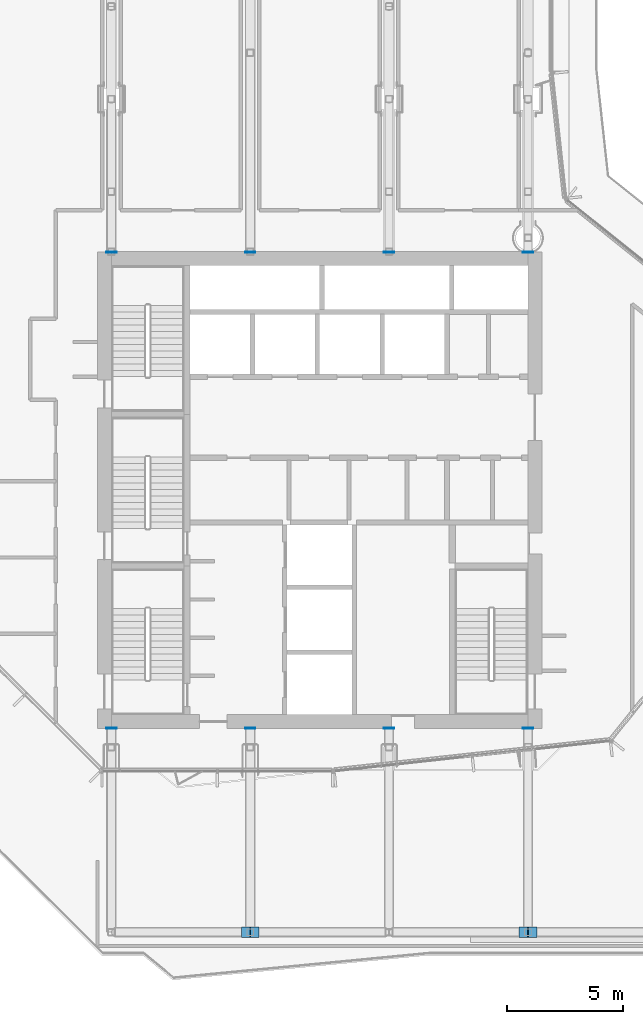
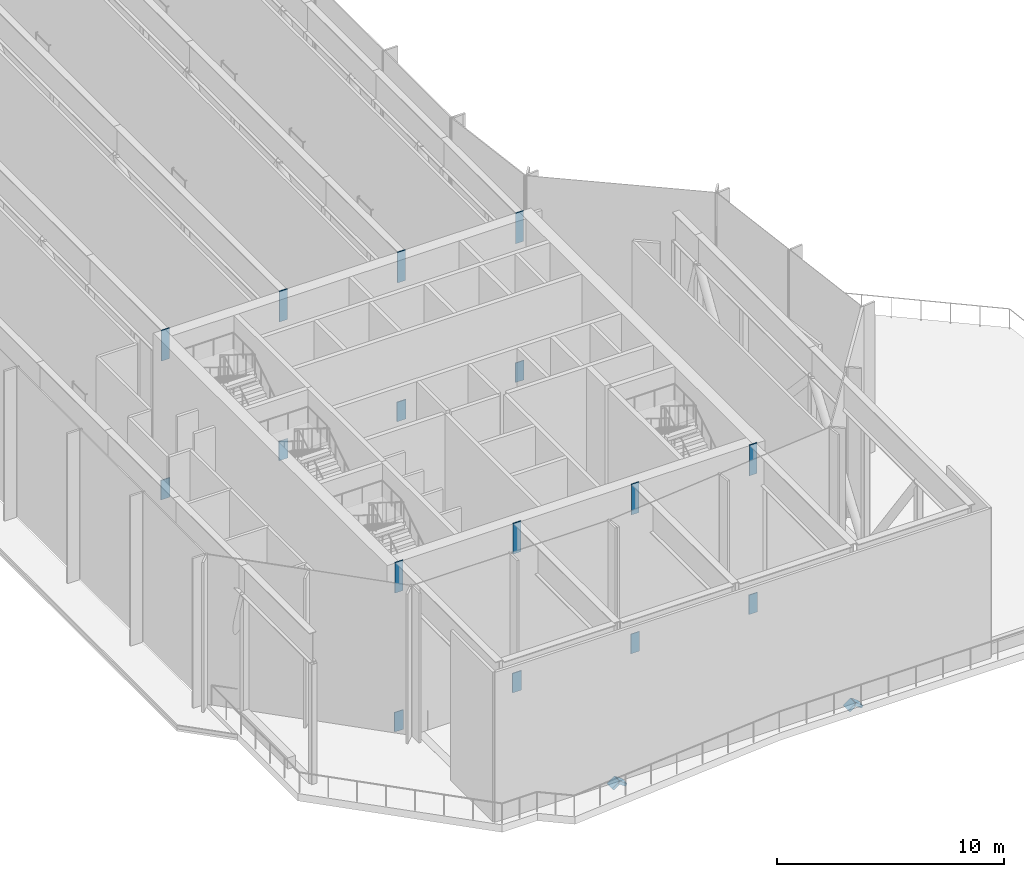
# One storey, part 15 of 22: 20 discrete accessories.
"""IFC4 building model written with IfcOpenShell, lengths in metres."""

from ifc_helpers import new_model, si_unit, direction, frame, origin, origin_2d, place, context, subcontext, project, spatial, rectangle, extrude, element, save


model = new_model("IFC4")

# Units and contexts
model_context = context("Model", 3, precision=1e-05, world=origin(), true_north=direction((0.0, 1.0)))
body_context = subcontext(model_context, "Body", "Model", "MODEL_VIEW")
ifc_project = project(units=[si_unit("LENGTHUNIT", "METRE"), si_unit("AREAUNIT", "SQUARE_METRE"), si_unit("VOLUMEUNIT", "CUBIC_METRE"), si_unit("PLANEANGLEUNIT", "RADIAN"), si_unit("MASSUNIT", "GRAM", prefix="KILO")], contexts=[model_context])

# Site, building, storey
site_placement = place(None, origin())
site = spatial("IfcSite", under=ifc_project, at=site_placement, CompositionType="ELEMENT")
building_placement = place(site_placement, origin())
building = spatial("IfcBuilding", under=site, at=building_placement, Name="Welwitschia Terrace Campus", CompositionType="ELEMENT")
storey_placement = place(building_placement, frame((0.0, 0.0, 197.0)))
storey = spatial("IfcBuildingStorey", under=building, at=storey_placement, Name="L44", CompositionType="ELEMENT", Elevation=197.0)

# Discrete accessories
discrete_accessory_1_placement = place(storey_placement, frame((6.0, 4.800048828125, -0.5), z_axis=(0.0, 1.0, 0.0), x_axis=(-1.0, 0.0, 0.0)))
element("IfcDiscreteAccessory", 1, at=discrete_accessory_1_placement, inside=storey, Name="Cast-in embed plate", PredefinedType="BRACKET", context=body_context, shape_type="SweptSolid", body=[
    extrude(rectangle(XDim=0.449951171875, YDim=1.050048828125, at=origin_2d()), origin(), (0.0, 0.0, 1.0), 0.0400390625),
])
discrete_accessory_2_placement = place(storey_placement, frame((6.0, 4.800048828125, 7.25), z_axis=(0.0, 1.0, 0.0), x_axis=(-1.0, 0.0, 0.0)))
element("IfcDiscreteAccessory", 2, at=discrete_accessory_2_placement, inside=storey, Name="Cast-in embed plate", PredefinedType="BRACKET", context=body_context, shape_type="SweptSolid", body=[
    extrude(rectangle(XDim=0.39990234375, YDim=1.64990234375, at=origin_2d()), origin(), (0.0, 0.0, 1.0), 0.0400390625),
])
discrete_accessory_3_placement = place(storey_placement, frame((6.0, 25.39990234375, -0.5), z_axis=(0.0, -1.0, 0.0), x_axis=(1.0, 0.0, 0.0)))
element("IfcDiscreteAccessory", 3, at=discrete_accessory_3_placement, inside=storey, Name="Cast-in embed plate", PredefinedType="BRACKET", context=body_context, shape_type="SweptSolid", body=[
    extrude(rectangle(XDim=0.449951171875, YDim=1.050048828125, at=origin_2d()), origin(), (0.0, 0.0, 1.0), 0.039794921875),
])
discrete_accessory_4_placement = place(storey_placement, frame((6.0, 25.39990234375, 7.25), z_axis=(0.0, -1.0, 0.0), x_axis=(1.0, 0.0, 0.0)))
element("IfcDiscreteAccessory", 4, at=discrete_accessory_4_placement, inside=storey, Name="Cast-in embed plate", PredefinedType="BRACKET", context=body_context, shape_type="SweptSolid", body=[
    extrude(rectangle(XDim=0.39990234375, YDim=1.64990234375, at=origin_2d()), origin(), (0.0, 0.0, 1.0), 0.039794921875),
])
discrete_accessory_5_placement = place(storey_placement, frame((12.0, 4.800048828125, -0.5), z_axis=(0.0, 1.0, 0.0), x_axis=(-1.0, 0.0, 0.0)))
element("IfcDiscreteAccessory", 5, at=discrete_accessory_5_placement, inside=storey, Name="Cast-in embed plate", PredefinedType="BRACKET", context=body_context, shape_type="SweptSolid", body=[
    extrude(rectangle(XDim=0.449951171875, YDim=1.050048828125, at=origin_2d()), origin(), (0.0, 0.0, 1.0), 0.0400390625),
])
discrete_accessory_6_placement = place(storey_placement, frame((12.0, 4.800048828125, 7.25), z_axis=(0.0, 1.0, 0.0), x_axis=(-1.0, 0.0, 0.0)))
element("IfcDiscreteAccessory", 6, at=discrete_accessory_6_placement, inside=storey, Name="Cast-in embed plate", PredefinedType="BRACKET", context=body_context, shape_type="SweptSolid", body=[
    extrude(rectangle(XDim=0.39990234375, YDim=1.64990234375, at=origin_2d()), origin(), (0.0, 0.0, 1.0), 0.0400390625),
])
discrete_accessory_7_placement = place(storey_placement, frame((12.0, 25.39990234375, -0.5), z_axis=(0.0, -1.0, 0.0), x_axis=(1.0, 0.0, 0.0)))
element("IfcDiscreteAccessory", 7, at=discrete_accessory_7_placement, inside=storey, Name="Cast-in embed plate", PredefinedType="BRACKET", context=body_context, shape_type="SweptSolid", body=[
    extrude(rectangle(XDim=0.449951171875, YDim=1.050048828125, at=origin_2d()), origin(), (0.0, 0.0, 1.0), 0.039794921875),
])
discrete_accessory_8_placement = place(storey_placement, frame((12.0, 25.39990234375, 7.25), z_axis=(0.0, -1.0, 0.0), x_axis=(1.0, 0.0, 0.0)))
element("IfcDiscreteAccessory", 8, at=discrete_accessory_8_placement, inside=storey, Name="Cast-in embed plate", PredefinedType="BRACKET", context=body_context, shape_type="SweptSolid", body=[
    extrude(rectangle(XDim=0.39990234375, YDim=1.64990234375, at=origin_2d()), origin(), (0.0, 0.0, 1.0), 0.039794921875),
])
discrete_accessory_9_placement = place(storey_placement, frame((18.0, 4.800048828125, -0.5), z_axis=(0.0, 1.0, 0.0), x_axis=(-1.0, 0.0, 0.0)))
element("IfcDiscreteAccessory", 9, at=discrete_accessory_9_placement, inside=storey, Name="Cast-in embed plate", PredefinedType="BRACKET", context=body_context, shape_type="SweptSolid", body=[
    extrude(rectangle(XDim=0.449951171875, YDim=1.050048828125, at=origin_2d()), origin(), (0.0, 0.0, 1.0), 0.0400390625),
])
discrete_accessory_10_placement = place(storey_placement, frame((18.0, 4.800048828125, 7.25), z_axis=(0.0, 1.0, 0.0), x_axis=(-1.0, 0.0, 0.0)))
element("IfcDiscreteAccessory", 10, at=discrete_accessory_10_placement, inside=storey, Name="Cast-in embed plate", PredefinedType="BRACKET", context=body_context, shape_type="SweptSolid", body=[
    extrude(rectangle(XDim=0.39990234375, YDim=1.64990234375, at=origin_2d()), origin(), (0.0, 0.0, 1.0), 0.0400390625),
])
discrete_accessory_11_placement = place(storey_placement, frame((18.0, 25.39990234375, -0.5), z_axis=(0.0, -1.0, 0.0), x_axis=(1.0, 0.0, 0.0)))
element("IfcDiscreteAccessory", 11, at=discrete_accessory_11_placement, inside=storey, Name="Cast-in embed plate", PredefinedType="BRACKET", context=body_context, shape_type="SweptSolid", body=[
    extrude(rectangle(XDim=0.449951171875, YDim=1.050048828125, at=origin_2d()), origin(), (0.0, 0.0, 1.0), 0.039794921875),
])
discrete_accessory_12_placement = place(storey_placement, frame((18.0, 25.39990234375, 7.25), z_axis=(0.0, -1.0, 0.0), x_axis=(1.0, 0.0, 0.0)))
element("IfcDiscreteAccessory", 12, at=discrete_accessory_12_placement, inside=storey, Name="Cast-in embed plate", PredefinedType="BRACKET", context=body_context, shape_type="SweptSolid", body=[
    extrude(rectangle(XDim=0.39990234375, YDim=1.64990234375, at=origin_2d()), origin(), (0.0, 0.0, 1.0), 0.039794921875),
])
discrete_accessory_13_placement = place(storey_placement, frame((24.0, 4.800048828125, -0.5), z_axis=(0.0, 1.0, 0.0), x_axis=(-1.0, 0.0, 0.0)))
element("IfcDiscreteAccessory", 13, at=discrete_accessory_13_placement, inside=storey, Name="Cast-in embed plate", PredefinedType="BRACKET", context=body_context, shape_type="SweptSolid", body=[
    extrude(rectangle(XDim=0.449951171875, YDim=1.050048828125, at=origin_2d()), origin(), (0.0, 0.0, 1.0), 0.0400390625),
])
discrete_accessory_14_placement = place(storey_placement, frame((24.0, 4.800048828125, 7.25), z_axis=(0.0, 1.0, 0.0), x_axis=(-1.0, 0.0, 0.0)))
element("IfcDiscreteAccessory", 14, at=discrete_accessory_14_placement, inside=storey, Name="Cast-in embed plate", PredefinedType="BRACKET", context=body_context, shape_type="SweptSolid", body=[
    extrude(rectangle(XDim=0.39990234375, YDim=1.64990234375, at=origin_2d()), origin(), (0.0, 0.0, 1.0), 0.0400390625),
])
discrete_accessory_15_placement = place(storey_placement, frame((24.0, 25.39990234375, -0.5), z_axis=(0.0, -1.0, 0.0), x_axis=(1.0, 0.0, 0.0)))
element("IfcDiscreteAccessory", 15, at=discrete_accessory_15_placement, inside=storey, Name="Cast-in embed plate", PredefinedType="BRACKET", context=body_context, shape_type="SweptSolid", body=[
    extrude(rectangle(XDim=0.449951171875, YDim=1.050048828125, at=origin_2d()), origin(), (0.0, 0.0, 1.0), 0.039794921875),
])
discrete_accessory_16_placement = place(storey_placement, frame((24.0, 25.39990234375, 7.25), z_axis=(0.0, -1.0, 0.0), x_axis=(1.0, 0.0, 0.0)))
element("IfcDiscreteAccessory", 16, at=discrete_accessory_16_placement, inside=storey, Name="Cast-in embed plate", PredefinedType="BRACKET", context=body_context, shape_type="SweptSolid", body=[
    extrude(rectangle(XDim=0.39990234375, YDim=1.64990234375, at=origin_2d()), origin(), (0.0, 0.0, 1.0), 0.039794921875),
])
for number, where, z_axis, x_axis, name in (
    (17, (11.800048828125, -4.0, -0.5), (0.587687609145, 0.0, -0.809087927272), (0.0, 1.0, 0.0), "Seat plate"),
    (18, (12.199951171875, -4.0, -0.5), (-0.587687609145, 0.0, -0.809087927272), (0.0, -1.0, 0.0), "Seat plate"),
    (19, (23.800048828125, -4.0, -0.5), (0.587687609145, 0.0, -0.809087927272), (0.0, 1.0, 0.0), "Seat plate"),
    (20, (24.199951171875, -4.0, -0.5), (-0.587687609145, 0.0, -0.809087927272), (0.0, -1.0, 0.0), "Seat plate"),
):
    element("IfcDiscreteAccessory", number, at=place(storey_placement, frame(where, z_axis=z_axis, x_axis=x_axis)), inside=storey, Name=name, PredefinedType="BRACKET", context=body_context, shape_type="SweptSolid", body=[
        extrude(rectangle(XDim=0.4560546875, YDim=0.4560546875, at=origin_2d()), origin(), (0.0, 0.0, 1.0), 0.14990234375),
    ])

save(model, "model.ifc")
